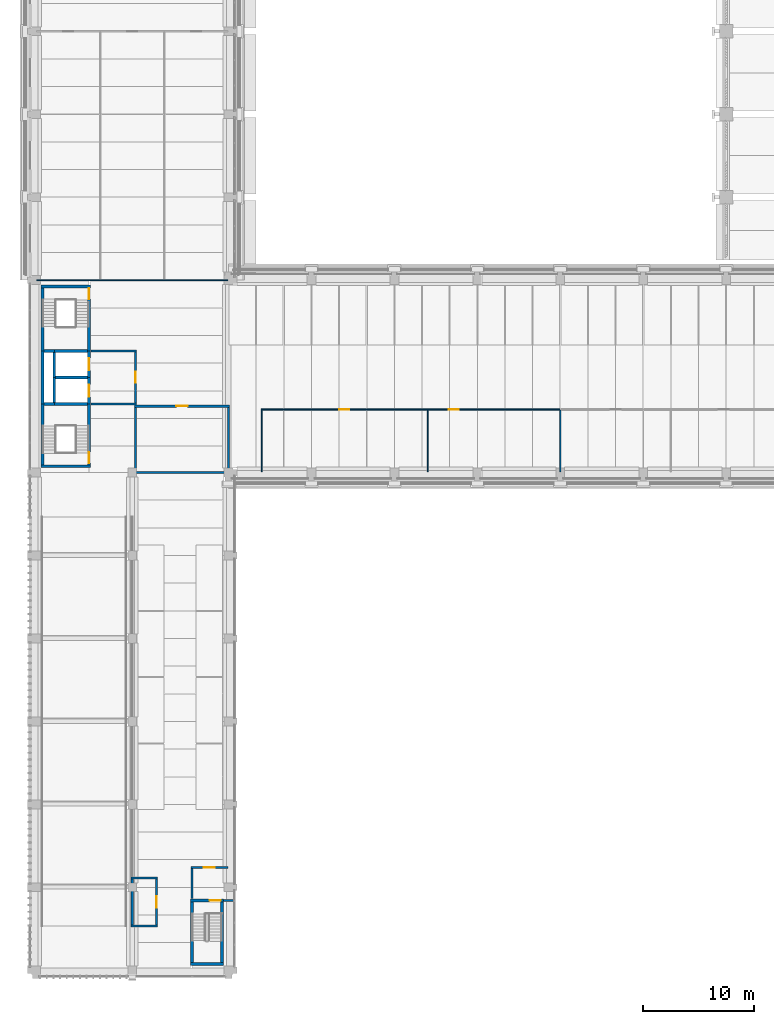
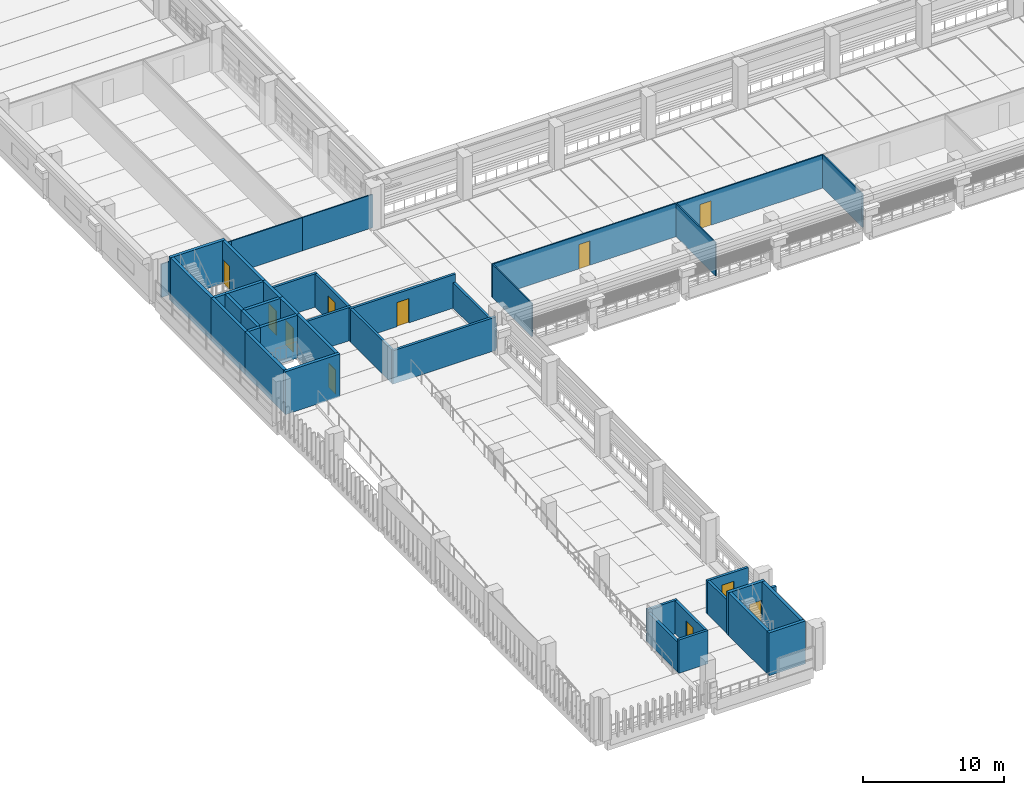
# One storey, part 30 of 71: 42 walls, 11 doors, 11 openings.
"""IFC4 building model written with IfcOpenShell, lengths in metres."""

import ifcopenshell
import ifcopenshell.guid

model = None  # the IFC model being written
_history = None  # IfcOwnerHistory: only IFC2X3 demands one
_inside = {}  # id of a spatial element -> (the spatial element, [elements in it])
_under = {}  # id of a project, library or spatial element -> (it, [spatial elements below it])
_declared = {}  # id of a project -> (the project, [libraries it declares])
_typed = {}  # id of a type object -> (the type object, [elements of that type])
_made_of = {}  # id of a material, layer set ... -> (it, [elements and type objects made of it])


def new_model(schema):
    """Start an empty IFC model of exactly this schema.

    Asked for "IFC4X3", IfcOpenShell would pick the latest addendum, in which some entities
    have other attributes; the version numbers below select the first issue.
    IFC2X3 requires an IfcOwnerHistory on every rooted entity: one is made here for all.
    """
    global model, _history
    if schema == "IFC4X3":
        model = ifcopenshell.file(schema_version=(4, 3, 0, 0))
    else:
        model = ifcopenshell.file(schema=schema)
    _inside.clear()
    _under.clear()
    _declared.clear()
    _typed.clear()
    _made_of.clear()
    _history = None
    if model.schema == "IFC2X3":
        org = make("IfcOrganization", Name="unknown")
        user = make(
            "IfcPersonAndOrganization",
            ThePerson=make("IfcPerson", FamilyName="unknown"),
            TheOrganization=org,
        )
        app = make(
            "IfcApplication",
            ApplicationDeveloper=org,
            Version="unknown",
            ApplicationFullName="unknown",
            ApplicationIdentifier="unknown",
        )
        _history = make(
            "IfcOwnerHistory",
            OwningUser=user,
            OwningApplication=app,
            ChangeAction="ADDED",
            CreationDate=0,
        )
    return model


def make(cls, **values):
    """One entity of the class cls with the attributes given. An attribute that is None is left unset."""
    return model.create_entity(
        cls, **{name: value for name, value in values.items() if value is not None}
    )


def rooted(cls, **values):
    """An entity with a GlobalId (a new one), such as an element, a storey or a relation."""
    return make(cls, GlobalId=ifcopenshell.guid.new(), OwnerHistory=_history, **values)


def si_unit(unit_type, name, prefix=None):
    """IfcSIUnit, for example si_unit("LENGTHUNIT", "METRE", prefix="MILLI")."""
    return make("IfcSIUnit", UnitType=unit_type, Prefix=prefix, Name=name)


def assignment(units):
    """IfcUnitAssignment: the units of a project."""
    return None if units is None else make("IfcUnitAssignment", Units=units)


def point(xyz):
    """IfcCartesianPoint."""
    return None if xyz is None else make("IfcCartesianPoint", Coordinates=xyz)


def direction(xyz):
    """IfcDirection."""
    return None if xyz is None else make("IfcDirection", DirectionRatios=xyz)


def frame(location, z_axis=None, x_axis=None):
    """IfcAxis2Placement3D, a coordinate frame: its origin and axes. An axis left out is left unset."""
    return make(
        "IfcAxis2Placement3D",
        Location=point(location),
        Axis=direction(z_axis),
        RefDirection=direction(x_axis),
    )


def frame_2d(location, x_axis=None):
    """IfcAxis2Placement2D, a coordinate frame in the plane: its origin and x axis."""
    return make(
        "IfcAxis2Placement2D", Location=point(location), RefDirection=direction(x_axis)
    )


def origin():
    """The frame at (0, 0, 0) with its axes left unset."""
    return frame((0.0, 0.0, 0.0))


def place(relative_to, where):
    """IfcLocalPlacement: puts the frame where relative to a parent placement (None: the world)."""
    return make(
        "IfcLocalPlacement", PlacementRelTo=relative_to, RelativePlacement=where
    )


def context(
    kind, dimensions, precision=None, world=None, true_north=None, identifier=None
):
    """IfcGeometricRepresentationContext, for example the 3D "Model" context."""
    return make(
        "IfcGeometricRepresentationContext",
        ContextIdentifier=identifier,
        ContextType=kind,
        CoordinateSpaceDimension=dimensions,
        Precision=precision,
        WorldCoordinateSystem=world,
        TrueNorth=true_north,
    )


def subcontext(parent, identifier, kind, view, scale=None):
    """IfcGeometricRepresentationSubContext, for example "Body" below "Model"."""
    return make(
        "IfcGeometricRepresentationSubContext",
        ContextIdentifier=identifier,
        ContextType=kind,
        ParentContext=parent,
        TargetScale=scale,
        TargetView=view,
    )


def project(units=None, contexts=None):
    """IfcProject with its units and contexts."""
    return rooted(
        "IfcProject",
        Name="project",
        RepresentationContexts=contexts,
        UnitsInContext=assignment(units),
    )


def spatial(cls, under=None, at=None, **own):
    """A site, building, storey or space (cls), placed at a placement, below another one or the project."""
    s = rooted(cls, ObjectPlacement=at, **own)
    if under is not None:
        _under.setdefault(under.id(), (under, []))[1].append(s)
    return s


def profile(cls, at=None, kind="AREA", **sizes):
    """A parametric profile (cls). Its sizes go by their IFC names, for example OverallWidth=200.0."""
    return make(cls, ProfileType=kind, Position=at, **sizes)


def rectangle(**sizes):
    """IfcRectangleProfileDef."""
    return profile("IfcRectangleProfileDef", **sizes)


def extrude(swept, where, along, depth):
    """IfcExtrudedAreaSolid: the profile swept, set in the frame where, extruded along a direction by depth."""
    return make(
        "IfcExtrudedAreaSolid",
        SweptArea=swept,
        Position=where,
        ExtrudedDirection=direction(along),
        Depth=depth,
    )


def shape(context_of_items, identifier, shape_type, items):
    """IfcShapeRepresentation: the items that make up one representation, for example the "Body"."""
    return make(
        "IfcShapeRepresentation",
        ContextOfItems=context_of_items,
        RepresentationIdentifier=identifier,
        RepresentationType=shape_type,
        Items=items,
    )


def material(Name=None, Category=None):
    """IfcMaterial."""
    return make("IfcMaterial", Name=Name, Category=Category)


def layer(
    of_material, thickness, ventilated=None, Name=None, Category=None, Priority=None
):
    """IfcMaterialLayer: one layer of a wall or slab, of a material (None: an air gap)."""
    return make(
        "IfcMaterialLayer",
        Material=of_material,
        LayerThickness=thickness,
        IsVentilated=ventilated,
        Name=Name,
        Category=Category,
        Priority=Priority,
    )


def layer_set(layers, Name=None):
    """IfcMaterialLayerSet."""
    return make("IfcMaterialLayerSet", MaterialLayers=layers, LayerSetName=Name)


def made_of(thing, what):
    """Note that an element or type object is made of a material, layer set ...; save() writes the relation."""
    if what is not None:
        _made_of.setdefault(what.id(), (what, []))[1].append(thing)
    return thing


def type_object(cls, material=None, **own):
    """A type object (cls), such as IfcWallType, which elements share."""
    return made_of(rooted(cls, **own), material)


def element(
    cls,
    number,
    at=None,
    inside=None,
    cuts=None,
    type_object=None,
    material=None,
    context=None,
    identifier="Body",
    shape_type=None,
    held_by="IfcProductDefinitionShape",
    body=None,
    shapes=None,
    **own,
):
    """One element of the class cls, such as IfcWall. Its Tag is "e" and its number.

    at: its placement. inside: the storey or other place that contains it. cuts: it is an
    opening in that element (IfcRelVoidsElement). A single representation is given by context,
    identifier, shape_type and body (its items); several are given by shapes. held_by: the class
    of the entity that holds the representations. save() writes the other relations.
    """
    e = rooted(cls, Tag="e%d" % number, ObjectPlacement=at, **own)
    if body is not None:
        shapes = [shape(context, identifier, shape_type, body)]
    if shapes is not None:
        e.Representation = make(held_by, Representations=shapes)
    if inside is not None:
        _inside.setdefault(inside.id(), (inside, []))[1].append(e)
    if cuts is not None:
        rooted(
            "IfcRelVoidsElement", RelatingBuildingElement=cuts, RelatedOpeningElement=e
        )
    if type_object is not None:
        _typed.setdefault(type_object.id(), (type_object, []))[1].append(e)
    return made_of(e, material)


def fill(opening, filler):
    """IfcRelFillsElement: the door or window that sits in an opening."""
    return rooted(
        "IfcRelFillsElement",
        RelatingOpeningElement=opening,
        RelatedBuildingElement=filler,
    )


def aggregate(whole, parts):
    """IfcRelAggregates: a whole, such as a stair, and the parts it consists of."""
    return rooted("IfcRelAggregates", RelatingObject=whole, RelatedObjects=parts)


def save(model, path):
    """Write the relations noted so far, then the file.

    IfcRelAggregates (storeys below a building ...), IfcRelContainedInSpatialStructure (elements
    in a storey), IfcRelDefinesByType, IfcRelAssociatesMaterial and IfcRelDeclares: one each for
    every whole, place, type object, material and project.
    """
    for whole, parts in _under.values():
        aggregate(whole, parts)
    for where, things in _inside.values():
        rooted(
            "IfcRelContainedInSpatialStructure",
            RelatedElements=things,
            RelatingStructure=where,
        )
    for kind, things in _typed.values():
        rooted("IfcRelDefinesByType", RelatedObjects=things, RelatingType=kind)
    for what, things in _made_of.values():
        rooted("IfcRelAssociatesMaterial", RelatedObjects=things, RelatingMaterial=what)
    for by, libraries in _declared.values():
        rooted("IfcRelDeclares", RelatingContext=by, RelatedDefinitions=libraries)
    model.write(path)


model = new_model("IFC4")

# Units and contexts
model_context = context("Model", 3, precision=1e-05, world=origin(), true_north=direction((0.0, 1.0)))
body_context = subcontext(model_context, "Body", "Model", "MODEL_VIEW")
ifc_project = project(units=[si_unit("LENGTHUNIT", "METRE"), si_unit("AREAUNIT", "SQUARE_METRE"), si_unit("VOLUMEUNIT", "CUBIC_METRE"), si_unit("PLANEANGLEUNIT", "RADIAN"), si_unit("MASSUNIT", "GRAM", prefix="KILO")], contexts=[model_context])

# Site, building, storey
site_placement = place(None, origin())
site = spatial("IfcSite", under=ifc_project, at=site_placement, CompositionType="ELEMENT")
building_placement = place(site_placement, origin())
building = spatial("IfcBuilding", under=site, at=building_placement, Name="Cour d'Honneur Mobility Palace", CompositionType="ELEMENT")
storey_placement = place(building_placement, frame((0.0, 0.0, 15.60009765625)))
storey = spatial("IfcBuildingStorey", under=building, at=storey_placement, Name="L04", CompositionType="ELEMENT", Elevation=15.60009765625)

# Walls
ifc_material_1 = material(Name="Concrete C50", Category="concrete")
ifc_layer_1 = layer(ifc_material_1, 0.25)
ifc_layer_set_1 = layer_set([ifc_layer_1], Name="Concrete C50")
wall_type_1 = type_object("IfcWallType", Name="Lift shaft wall 250", PredefinedType="SHEAR", material=ifc_layer_set_1)
wall_1_placement = place(storey_placement, frame((1.77490234375, 53.60009765625, 0.0), z_axis=(0.0, 0.0, 1.0), x_axis=(1.0, 0.0, 0.0)))
element("IfcWall", 1, at=wall_1_placement, inside=storey, type_object=wall_type_1, Name="Lift shaft wall WL-CW4 L04", PredefinedType="SHEAR", context=body_context, shape_type="SweptSolid", body=[
    extrude(rectangle(XDim=2.900146484375, YDim=0.25, at=frame_2d((1.4501953125, 0.0))), origin(), (0.0, 0.0, 1.0), 3.699951171875),
])
wall_2_placement = place(storey_placement, frame((1.64990234375, 51.324951171875, 0.0), z_axis=(0.0, 0.0, 1.0), x_axis=(0.0, 1.0, 0.0)))
element("IfcWall", 2, at=wall_2_placement, inside=storey, type_object=wall_type_1, Name="Lift shaft wall WL-CW11 L04", PredefinedType="SHEAR", context=body_context, shape_type="SweptSolid", body=[
    extrude(rectangle(XDim=2.275146484375, YDim=0.25, at=frame_2d((1.1376953125, 0.0))), origin(), (0.0, 0.0, 1.0), 3.699951171875),
])
wall_3_placement = place(storey_placement, frame((1.64990234375, 53.60009765625, 0.0), z_axis=(0.0, 0.0, 1.0), x_axis=(0.0, 1.0, 0.0)))
element("IfcWall", 3, at=wall_3_placement, inside=storey, type_object=wall_type_1, Name="Lift shaft wall WL-CW12 L04", PredefinedType="SHEAR", context=body_context, shape_type="SweptSolid", body=[
    extrude(rectangle(XDim=2.27490234375, YDim=0.25, at=frame_2d((1.137451171875, 0.0))), origin(), (0.0, 0.0, 1.0), 3.699951171875),
])

# Wall, opening, door
wall_4_placement = place(storey_placement, frame((4.800048828125, 51.199951171875, 0.0), z_axis=(0.0, 0.0, 1.0), x_axis=(0.0, 1.0, 0.0)))
wall_4 = element("IfcWall", 4, at=wall_4_placement, inside=storey, type_object=wall_type_1, Name="Lift shaft wall WL-CW14 L04", PredefinedType="SHEAR", context=body_context, shape_type="SweptSolid", body=[
    extrude(rectangle(XDim=2.400146484375, YDim=0.25, at=frame_2d((1.2001953125, 0.0))), origin(), (0.0, 0.0, 1.0), 3.699951171875),
])
opening_1_placement = place(wall_4_placement, frame((0.64990234375, 0.0, 0.0)))
opening_1 = element("IfcOpeningElement", 5, at=opening_1_placement, cuts=wall_4, Name="Opening LD5", PredefinedType="OPENING", context=body_context, shape_type="SweptSolid", body=[
    extrude(rectangle(XDim=1.10009765625, YDim=2.10009765625, at=frame_2d((0.550048828125, 1.050048828125))), frame((0.0, 0.135009765625, 0.0), z_axis=(0.0, -1.0, 0.0), x_axis=(1.0, 0.0, 0.0)), (0.0, 0.0, 1.0), 0.27001953125),
])
ifc_material_2 = material(Name="Stainless steel", Category="steel")
door_type_1 = type_object("IfcDoorType", Name="Landing door 1100 x 2100", OperationType="SLIDING_TO_LEFT", PredefinedType="DOOR", material=ifc_material_2)
door_1_placement = place(opening_1_placement, origin())
door_1 = element("IfcDoor", 6, at=door_1_placement, inside=storey, type_object=door_type_1, Name="Landing door LF-CW1 L04", OperationType="SLIDING_TO_LEFT", OverallHeight=2.10009765625, OverallWidth=1.10009765625, PredefinedType="DOOR", context=body_context, shape_type="SweptSolid", body=[
    extrude(rectangle(XDim=1.10009765625, YDim=2.10009765625, at=frame_2d((0.550048828125, 1.050048828125))), frame((0.0, 0.02490234375, 0.0), z_axis=(0.0, -1.0, 0.0), x_axis=(1.0, 0.0, 0.0)), (0.0, 0.0, 1.0), 0.050048828125),
])
fill(opening_1, door_1)

wall_5_placement = place(storey_placement, frame((4.800048828125, 53.60009765625, 0.0), z_axis=(0.0, 0.0, 1.0), x_axis=(0.0, 1.0, 0.0)))
wall_5 = element("IfcWall", 7, at=wall_5_placement, inside=storey, type_object=wall_type_1, Name="Lift shaft wall WL-CW15 L04", PredefinedType="SHEAR", context=body_context, shape_type="SweptSolid", body=[
    extrude(rectangle(XDim=2.39990234375, YDim=0.25, at=frame_2d((1.199951171875, 0.0))), origin(), (0.0, 0.0, 1.0), 3.699951171875),
])
opening_2_placement = place(wall_5_placement, frame((0.64990234375, 0.0, 0.0)))
opening_2 = element("IfcOpeningElement", 8, at=opening_2_placement, cuts=wall_5, Name="Opening LD15", PredefinedType="OPENING", context=body_context, shape_type="SweptSolid", body=[
    extrude(rectangle(XDim=1.10009765625, YDim=2.10009765625, at=frame_2d((0.550048828125, 1.050048828125))), frame((0.0, 0.135009765625, 0.0), z_axis=(0.0, -1.0, 0.0), x_axis=(1.0, 0.0, 0.0)), (0.0, 0.0, 1.0), 0.27001953125),
])
door_2_placement = place(opening_2_placement, origin())
door_2 = element("IfcDoor", 9, at=door_2_placement, inside=storey, type_object=door_type_1, Name="Landing door LF-CW2 L04", OperationType="SLIDING_TO_LEFT", OverallHeight=2.10009765625, OverallWidth=1.10009765625, PredefinedType="DOOR", context=body_context, shape_type="SweptSolid", body=[
    extrude(rectangle(XDim=1.10009765625, YDim=2.10009765625, at=frame_2d((0.550048828125, 1.050048828125))), frame((0.0, 0.02490234375, 0.0), z_axis=(0.0, -1.0, 0.0), x_axis=(1.0, 0.0, 0.0)), (0.0, 0.0, 1.0), 0.050048828125),
])
fill(opening_2, door_2)

# Walls
ifc_material_3 = material(Name="Gypsum plasterboard")
ifc_layer_2 = layer(ifc_material_3, 0.10009765625)
ifc_layer_set_2 = layer_set([ifc_layer_2], Name="Gypsum plasterboard")
wall_type_2 = type_object("IfcWallType", Name="Partition 100", PredefinedType="PARTITIONING", material=ifc_layer_set_2)
for number, where, z_axis, x_axis, name in (
    (10, (35.39990234375, 45.06005859375, 0.0), (0.0, 0.0, 1.0), (0.0, 1.0, 0.0), "Partition 019"),
    (11, (47.39990234375, 45.06005859375, 0.0), (0.0, 0.0, 1.0), (0.0, 1.0, 0.0), "Partition 020"),
    (12, (20.39990234375, 50.64990234375, 0.0), (0.0, 0.0, 1.0), (0.0, -1.0, 0.0), "Partition 029"),
):
    element("IfcWall", number, at=place(storey_placement, frame(where, z_axis=z_axis, x_axis=x_axis)), inside=storey, type_object=wall_type_2, Name=name, PredefinedType="PARTITIONING", context=body_context, shape_type="SweptSolid", body=[
        extrude(rectangle(XDim=5.58984375, YDim=0.10009765625, at=frame_2d((2.794921875, 0.0))), origin(), (0.0, 0.0, 1.0), 2.8798828125),
    ])

# Wall, opening, door
wall_6_placement = place(storey_placement, frame((35.39990234375, 50.699951171875, 0.0), z_axis=(0.0, 0.0, 1.0), x_axis=(-1.0, 0.0, 0.0)))
wall_6 = element("IfcWall", 13, at=wall_6_placement, inside=storey, type_object=wall_type_2, Name="Partition 030", PredefinedType="PARTITIONING", context=body_context, shape_type="SweptSolid", body=[
    extrude(rectangle(XDim=15.0498046875, YDim=0.10009765625, at=frame_2d((7.52490234375, 0.0))), origin(), (0.0, 0.0, 1.0), 2.8798828125),
])
opening_3_placement = place(wall_6_placement, frame((7.074951171875, 0.0, 0.0)))
opening_3 = element("IfcOpeningElement", 14, at=opening_3_placement, cuts=wall_6, Name="Opening D0413", PredefinedType="OPENING", context=body_context, shape_type="SweptSolid", body=[
    extrude(rectangle(XDim=0.89990234375, YDim=2.10009765625, at=frame_2d((0.449951171875, 1.050048828125))), frame((0.0, 0.06005859375, 0.0), z_axis=(0.0, -1.0, 0.0), x_axis=(1.0, 0.0, 0.0)), (0.0, 0.0, 1.0), 0.1201171875),
])
ifc_material_4 = material(Name="Solid timber", Category="wood")
door_type_2 = type_object("IfcDoorType", Name="Single door 900 x 2100", OperationType="SINGLE_SWING_LEFT", PredefinedType="DOOR", material=ifc_material_4)
door_3_placement = place(opening_3_placement, origin())
door_3 = element("IfcDoor", 15, at=door_3_placement, inside=storey, type_object=door_type_2, Name="Door Charging Customer Lounge", OperationType="SINGLE_SWING_LEFT", OverallHeight=2.10009765625, OverallWidth=0.89990234375, PredefinedType="DOOR", context=body_context, shape_type="SweptSolid", body=[
    extrude(rectangle(XDim=0.89990234375, YDim=2.10009765625, at=frame_2d((0.449951171875, 1.050048828125))), frame((0.0, 0.02490234375, 0.0), z_axis=(0.0, -1.0, 0.0), x_axis=(1.0, 0.0, 0.0)), (0.0, 0.0, 1.0), 0.050048828125),
])
fill(opening_3, door_3)

wall_7_placement = place(storey_placement, frame((47.39990234375, 50.699951171875, 0.0), z_axis=(0.0, 0.0, 1.0), x_axis=(-1.0, 0.0, 0.0)))
wall_7 = element("IfcWall", 16, at=wall_7_placement, inside=storey, type_object=wall_type_2, Name="Partition 031", PredefinedType="PARTITIONING", context=body_context, shape_type="SweptSolid", body=[
    extrude(rectangle(XDim=12.0, YDim=0.10009765625, at=frame_2d((6.0, 0.0))), origin(), (0.0, 0.0, 1.0), 2.8798828125),
])
opening_4_placement = place(wall_7_placement, frame((9.1650390625, 0.0, 0.0)))
opening_4 = element("IfcOpeningElement", 17, at=opening_4_placement, cuts=wall_7, Name="Opening D0414", PredefinedType="OPENING", context=body_context, shape_type="SweptSolid", body=[
    extrude(rectangle(XDim=0.89990234375, YDim=2.10009765625, at=frame_2d((0.449951171875, 1.050048828125))), frame((0.0, 0.06005859375, 0.0), z_axis=(0.0, -1.0, 0.0), x_axis=(1.0, 0.0, 0.0)), (0.0, 0.0, 1.0), 0.1201171875),
])
door_4_placement = place(opening_4_placement, origin())
door_4 = element("IfcDoor", 18, at=door_4_placement, inside=storey, type_object=door_type_2, Name="Door Driver Rest Lounge", OperationType="SINGLE_SWING_RIGHT", OverallHeight=2.10009765625, OverallWidth=0.89990234375, PredefinedType="DOOR", context=body_context, shape_type="SweptSolid", body=[
    extrude(rectangle(XDim=0.89990234375, YDim=2.10009765625, at=frame_2d((0.449951171875, 1.050048828125))), frame((0.0, 0.02490234375, 0.0), z_axis=(0.0, -1.0, 0.0), x_axis=(1.0, 0.0, 0.0)), (0.0, 0.0, 1.0), 0.050048828125),
])
fill(opening_4, door_4)

# Walls
wall_8_placement = place(storey_placement, frame((0.06005859375, 62.39990234375, 0.0), z_axis=(0.0, 0.0, 1.0), x_axis=(1.0, 0.0, 0.0)))
element("IfcWall", 19, at=wall_8_placement, inside=storey, type_object=wall_type_2, Name="Partition 058", PredefinedType="PARTITIONING", context=body_context, shape_type="SweptSolid", body=[
    extrude(rectangle(XDim=5.739990234375, YDim=0.10009765625, at=frame_2d((2.8701171875, 0.0))), origin(), (0.0, 0.0, 1.0), 2.8798828125),
])
wall_9_placement = place(storey_placement, frame((5.800048828125, 62.39990234375, 0.0), z_axis=(0.0, 0.0, 1.0), x_axis=(1.0, 0.0, 0.0)))
element("IfcWall", 20, at=wall_9_placement, inside=storey, type_object=wall_type_2, Name="Partition 059", PredefinedType="PARTITIONING", context=body_context, shape_type="SweptSolid", body=[
    extrude(rectangle(XDim=5.800048828125, YDim=0.10009765625, at=frame_2d((2.89990234375, 0.0))), origin(), (0.0, 0.0, 1.0), 2.8798828125),
])
wall_10_placement = place(storey_placement, frame((11.60009765625, 62.39990234375, 0.0), z_axis=(0.0, 0.0, 1.0), x_axis=(1.0, 0.0, 0.0)))
element("IfcWall", 21, at=wall_10_placement, inside=storey, type_object=wall_type_2, Name="Partition 061", PredefinedType="PARTITIONING", context=body_context, shape_type="SweptSolid", body=[
    extrude(rectangle(XDim=5.739990234375, YDim=0.10009765625, at=frame_2d((2.8701171875, 0.0))), origin(), (0.0, 0.0, 1.0), 2.8798828125),
])
ifc_material_5 = material(Name="Gypsum plasterboard")
ifc_layer_3 = layer(ifc_material_5, 0.199951171875)
ifc_layer_set_3 = layer_set([ifc_layer_3], Name="Gypsum plasterboard")
wall_type_3 = type_object("IfcWallType", Name="Partition 200 rated EI 120", PredefinedType="PARTITIONING", material=ifc_layer_set_3)
wall_11_placement = place(storey_placement, frame((8.60009765625, 4.0, 0.0), z_axis=(0.0, 0.0, 1.0), x_axis=(1.0, 0.0, 0.0)))
element("IfcWall", 22, at=wall_11_placement, inside=storey, type_object=wall_type_3, Name="Partition 001", PredefinedType="PARTITIONING", context=body_context, shape_type="SweptSolid", body=[
    extrude(rectangle(XDim=2.39990234375, YDim=0.199951171875, at=frame_2d((1.199951171875, 0.0))), origin(), (0.0, 0.0, 1.0), 2.8798828125),
])

# Wall, opening, door
wall_12_placement = place(storey_placement, frame((10.89990234375, 4.10009765625, 0.0), z_axis=(0.0, 0.0, 1.0), x_axis=(0.0, 1.0, 0.0)))
wall_12 = element("IfcWall", 23, at=wall_12_placement, inside=storey, type_object=wall_type_3, Name="Partition 002", PredefinedType="PARTITIONING", context=body_context, shape_type="SweptSolid", body=[
    extrude(rectangle(XDim=4.14990234375, YDim=0.199951171875, at=frame_2d((2.074951171875, 0.0))), origin(), (0.0, 0.0, 1.0), 2.8798828125),
])
opening_5_placement = place(wall_12_placement, frame((1.574951171875, 0.0, 0.0)))
opening_5 = element("IfcOpeningElement", 24, at=opening_5_placement, cuts=wall_12, Name="Opening D0409", PredefinedType="OPENING", context=body_context, shape_type="SweptSolid", body=[
    extrude(rectangle(XDim=1.0, YDim=2.10009765625, at=frame_2d((0.5, 1.050048828125))), frame((0.0, 0.10986328125, 0.0), z_axis=(0.0, -1.0, 0.0), x_axis=(1.0, 0.0, 0.0)), (0.0, 0.0, 1.0), 0.219970703125),
])
ifc_material_6 = material(Name="Galvanised steel", Category="steel")
door_type_3 = type_object("IfcDoorType", Name="Fire door FD120 1000 x 2100", OperationType="SINGLE_SWING_LEFT", PredefinedType="DOOR", material=ifc_material_6)
door_5_placement = place(opening_5_placement, origin())
door_5 = element("IfcDoor", 25, at=door_5_placement, inside=storey, type_object=door_type_3, Name="Door EV Switch Room West", OperationType="SINGLE_SWING_RIGHT", OverallHeight=2.10009765625, OverallWidth=1.0, PredefinedType="DOOR", context=body_context, shape_type="SweptSolid", body=[
    extrude(rectangle(XDim=1.0, YDim=2.10009765625, at=frame_2d((0.5, 1.050048828125))), frame((0.0, 0.02490234375, 0.0), z_axis=(0.0, -1.0, 0.0), x_axis=(1.0, 0.0, 0.0)), (0.0, 0.0, 1.0), 0.050048828125),
])
fill(opening_5, door_5)

# Walls
wall_13_placement = place(storey_placement, frame((16.949951171875, 6.300048828125, 0.0), z_axis=(0.0, 0.0, 1.0), x_axis=(1.0, 0.0, 0.0)))
element("IfcWall", 26, at=wall_13_placement, inside=storey, type_object=wall_type_3, Name="Partition 005", PredefinedType="PARTITIONING", context=body_context, shape_type="SweptSolid", body=[
    extrude(rectangle(XDim=0.949951171875, YDim=0.199951171875, at=frame_2d((0.47509765625, 0.0))), origin(), (0.0, 0.0, 1.0), 2.8798828125),
])
wall_14_placement = place(storey_placement, frame((11.0, 8.35009765625, 0.0), z_axis=(0.0, 0.0, 1.0), x_axis=(-1.0, 0.0, 0.0)))
element("IfcWall", 27, at=wall_14_placement, inside=storey, type_object=wall_type_3, Name="Partition 009", PredefinedType="PARTITIONING", context=body_context, shape_type="SweptSolid", body=[
    extrude(rectangle(XDim=2.39990234375, YDim=0.199951171875, at=frame_2d((1.199951171875, 0.0))), origin(), (0.0, 0.0, 1.0), 2.8798828125),
])
wall_15_placement = place(storey_placement, frame((14.10009765625, 9.199951171875, 0.0), z_axis=(0.0, 0.0, 1.0), x_axis=(0.0, -1.0, 0.0)))
element("IfcWall", 28, at=wall_15_placement, inside=storey, type_object=wall_type_3, Name="Partition 012", PredefinedType="PARTITIONING", context=body_context, shape_type="SweptSolid", body=[
    extrude(rectangle(XDim=2.724853515625, YDim=0.199951171875, at=frame_2d((1.3623046875, 0.0))), origin(), (0.0, 0.0, 1.0), 2.8798828125),
])

# Wall, opening, door
wall_16_placement = place(storey_placement, frame((17.340087890625, 9.300048828125, 0.0), z_axis=(0.0, 0.0, 1.0), x_axis=(-1.0, 0.0, 0.0)))
wall_16 = element("IfcWall", 29, at=wall_16_placement, inside=storey, type_object=wall_type_3, Name="Partition 013", PredefinedType="PARTITIONING", context=body_context, shape_type="SweptSolid", body=[
    extrude(rectangle(XDim=3.340087890625, YDim=0.199951171875, at=frame_2d((1.669921875, 0.0))), origin(), (0.0, 0.0, 1.0), 2.8798828125),
])
opening_6_placement = place(wall_16_placement, frame((1.169921875, 0.0, 0.0)))
opening_6 = element("IfcOpeningElement", 30, at=opening_6_placement, cuts=wall_16, Name="Opening D0407", PredefinedType="OPENING", context=body_context, shape_type="SweptSolid", body=[
    extrude(rectangle(XDim=1.0, YDim=2.10009765625, at=frame_2d((0.5, 1.050048828125))), frame((0.0, 0.10986328125, 0.0), z_axis=(0.0, -1.0, 0.0), x_axis=(1.0, 0.0, 0.0)), (0.0, 0.0, 1.0), 0.219970703125),
])
door_6_placement = place(opening_6_placement, origin())
door_6 = element("IfcDoor", 31, at=door_6_placement, inside=storey, type_object=door_type_3, Name="Door Stair Lobby RW", OperationType="SINGLE_SWING_LEFT", OverallHeight=2.10009765625, OverallWidth=1.0, PredefinedType="DOOR", context=body_context, shape_type="SweptSolid", body=[
    extrude(rectangle(XDim=1.0, YDim=2.10009765625, at=frame_2d((0.5, 1.050048828125))), frame((0.0, 0.02490234375, 0.0), z_axis=(0.0, -1.0, 0.0), x_axis=(1.0, 0.0, 0.0)), (0.0, 0.0, 1.0), 0.050048828125),
])
fill(opening_6, door_6)

# Walls
wall_17_placement = place(storey_placement, frame((8.89990234375, 45.0, 0.0), z_axis=(0.0, 0.0, 1.0), x_axis=(1.0, 0.0, 0.0)))
element("IfcWall", 32, at=wall_17_placement, inside=storey, type_object=wall_type_3, Name="Partition 015", PredefinedType="PARTITIONING", context=body_context, shape_type="SweptSolid", body=[
    extrude(rectangle(XDim=8.440185546875, YDim=0.199951171875, at=frame_2d((4.22021484375, 0.0))), origin(), (0.0, 0.0, 1.0), 2.8798828125),
])
wall_18_placement = place(storey_placement, frame((9.0, 50.89990234375, 0.0), z_axis=(0.0, 0.0, 1.0), x_axis=(0.0, -1.0, 0.0)))
element("IfcWall", 33, at=wall_18_placement, inside=storey, type_object=wall_type_3, Name="Partition 042", PredefinedType="PARTITIONING", context=body_context, shape_type="SweptSolid", body=[
    extrude(rectangle(XDim=5.7998046875, YDim=0.199951171875, at=frame_2d((2.89990234375, 0.0))), origin(), (0.0, 0.0, 1.0), 2.8798828125),
])

# Wall, opening, door
wall_19_placement = place(storey_placement, frame((17.5, 51.0, 0.0), z_axis=(0.0, 0.0, 1.0), x_axis=(-1.0, 0.0, 0.0)))
wall_19 = element("IfcWall", 34, at=wall_19_placement, inside=storey, type_object=wall_type_3, Name="Partition 043", PredefinedType="PARTITIONING", context=body_context, shape_type="SweptSolid", body=[
    extrude(rectangle(XDim=8.60009765625, YDim=0.199951171875, at=frame_2d((4.300048828125, 0.0))), origin(), (0.0, 0.0, 1.0), 2.8798828125),
])
opening_7_placement = place(wall_19_placement, frame((3.800048828125, 0.0, 0.0)))
opening_7 = element("IfcOpeningElement", 35, at=opening_7_placement, cuts=wall_19, Name="Opening D0411", PredefinedType="OPENING", context=body_context, shape_type="SweptSolid", body=[
    extrude(rectangle(XDim=1.0, YDim=2.10009765625, at=frame_2d((0.5, 1.050048828125))), frame((0.0, 0.10986328125, 0.0), z_axis=(0.0, -1.0, 0.0), x_axis=(1.0, 0.0, 0.0)), (0.0, 0.0, 1.0), 0.219970703125),
])
door_7_placement = place(opening_7_placement, origin())
door_7 = element("IfcDoor", 36, at=door_7_placement, inside=storey, type_object=door_type_3, Name="Door EV Switch Room West", OperationType="SINGLE_SWING_RIGHT", OverallHeight=2.10009765625, OverallWidth=1.0, PredefinedType="DOOR", context=body_context, shape_type="SweptSolid", body=[
    extrude(rectangle(XDim=1.0, YDim=2.10009765625, at=frame_2d((0.5, 1.050048828125))), frame((0.0, 0.02490234375, 0.0), z_axis=(0.0, -1.0, 0.0), x_axis=(1.0, 0.0, 0.0)), (0.0, 0.0, 1.0), 0.050048828125),
])
fill(opening_7, door_7)

# Wall
wall_20_placement = place(storey_placement, frame((4.97509765625, 51.199951171875, 0.0), z_axis=(0.0, 0.0, 1.0), x_axis=(1.0, 0.0, 0.0)))
element("IfcWall", 37, at=wall_20_placement, inside=storey, type_object=wall_type_3, Name="Partition 046", PredefinedType="PARTITIONING", context=body_context, shape_type="SweptSolid", body=[
    extrude(rectangle(XDim=4.125, YDim=0.199951171875, at=frame_2d((2.0625, 0.0))), origin(), (0.0, 0.0, 1.0), 2.8798828125),
])

# Wall, opening, door
wall_21_placement = place(storey_placement, frame((9.0, 51.300048828125, 0.0), z_axis=(0.0, 0.0, 1.0), x_axis=(0.0, 1.0, 0.0)))
wall_21 = element("IfcWall", 38, at=wall_21_placement, inside=storey, type_object=wall_type_3, Name="Partition 047", PredefinedType="PARTITIONING", context=body_context, shape_type="SweptSolid", body=[
    extrude(rectangle(XDim=4.599853515625, YDim=0.199951171875, at=frame_2d((2.2998046875, 0.0))), origin(), (0.0, 0.0, 1.0), 2.8798828125),
])
opening_8_placement = place(wall_21_placement, frame((1.800048828125, 0.0, 0.0)))
opening_8 = element("IfcOpeningElement", 39, at=opening_8_placement, cuts=wall_21, Name="Opening D0401", PredefinedType="OPENING", context=body_context, shape_type="SweptSolid", body=[
    extrude(rectangle(XDim=1.0, YDim=2.10009765625, at=frame_2d((0.5, 1.050048828125))), frame((0.0, 0.10986328125, 0.0), z_axis=(0.0, -1.0, 0.0), x_axis=(1.0, 0.0, 0.0)), (0.0, 0.0, 1.0), 0.219970703125),
])
door_8_placement = place(opening_8_placement, origin())
door_8 = element("IfcDoor", 40, at=door_8_placement, inside=storey, type_object=door_type_3, Name="Door Firefighting Lobby CW", OperationType="SINGLE_SWING_RIGHT", OverallHeight=2.10009765625, OverallWidth=1.0, PredefinedType="DOOR", context=body_context, shape_type="SweptSolid", body=[
    extrude(rectangle(XDim=1.0, YDim=2.10009765625, at=frame_2d((0.5, 1.050048828125))), frame((0.0, 0.02490234375, 0.0), z_axis=(0.0, -1.0, 0.0), x_axis=(1.0, 0.0, 0.0)), (0.0, 0.0, 1.0), 0.050048828125),
])
fill(opening_8, door_8)

# Walls
wall_22_placement = place(storey_placement, frame((9.10009765625, 56.0, 0.0), z_axis=(0.0, 0.0, 1.0), x_axis=(-1.0, 0.0, 0.0)))
element("IfcWall", 41, at=wall_22_placement, inside=storey, type_object=wall_type_3, Name="Partition 055", PredefinedType="PARTITIONING", context=body_context, shape_type="SweptSolid", body=[
    extrude(rectangle(XDim=4.125, YDim=0.199951171875, at=frame_2d((2.0625, 0.0))), origin(), (0.0, 0.0, 1.0), 2.8798828125),
])
ifc_material_7 = material(Name="Gypsum plasterboard")
ifc_layer_4 = layer(ifc_material_7, 0.199951171875)
ifc_layer_set_4 = layer_set([ifc_layer_4], Name="Gypsum plasterboard")
wall_type_4 = type_object("IfcWallType", Name="Partition 200 rated EI 120 under beam 1100", PredefinedType="PARTITIONING", material=ifc_layer_set_4)
wall_23_placement = place(storey_placement, frame((8.699951171875, 8.25, 0.0), z_axis=(0.0, 0.0, 1.0), x_axis=(0.0, -1.0, 0.0)))
element("IfcWall", 42, at=wall_23_placement, inside=storey, type_object=wall_type_4, Name="Partition 008", PredefinedType="PARTITIONING", context=body_context, shape_type="SweptSolid", body=[
    extrude(rectangle(XDim=4.14990234375, YDim=0.199951171875, at=frame_2d((2.074951171875, 0.0))), origin(), (0.0, 0.0, 1.0), 2.599853515625),
])
ifc_material_8 = material(Name="Gypsum plasterboard")
ifc_layer_5 = layer(ifc_material_8, 0.199951171875)
ifc_layer_set_5 = layer_set([ifc_layer_5], Name="Gypsum plasterboard")
wall_type_5 = type_object("IfcWallType", Name="Partition 200 rated EI 120 under beam 1500", PredefinedType="PARTITIONING", material=ifc_layer_set_5)
wall_24_placement = place(storey_placement, frame((17.39990234375, 45.06005859375, 0.0), z_axis=(0.0, 0.0, 1.0), x_axis=(0.0, 1.0, 0.0)))
element("IfcWall", 43, at=wall_24_placement, inside=storey, type_object=wall_type_5, Name="Partition 018", PredefinedType="PARTITIONING", context=body_context, shape_type="SweptSolid", body=[
    extrude(rectangle(XDim=5.83984375, YDim=0.199951171875, at=frame_2d((2.919921875, 0.0))), origin(), (0.0, 0.0, 1.0), 2.199951171875),
])
ifc_material_9 = material(Name="Concrete C50", Category="concrete")
ifc_layer_6 = layer(ifc_material_9, 0.25)
ifc_layer_set_6 = layer_set([ifc_layer_6], Name="Concrete C50")
wall_type_6 = type_object("IfcWallType", Name="Shaft wall 250", PredefinedType="SHEAR", material=ifc_layer_set_6)
wall_25_placement = place(storey_placement, frame((0.574951171875, 51.199951171875, 0.0), z_axis=(0.0, 0.0, 1.0), x_axis=(0.0, 1.0, 0.0)))
element("IfcWall", 44, at=wall_25_placement, inside=storey, type_object=wall_type_6, Name="Shaft wall WR-CW9 L04", PredefinedType="SHEAR", context=body_context, shape_type="SweptSolid", body=[
    extrude(rectangle(XDim=4.800048828125, YDim=0.25, at=frame_2d((2.39990234375, 0.0))), origin(), (0.0, 0.0, 1.0), 3.699951171875),
])
ifc_material_10 = material(Name="Concrete C50", Category="concrete")
ifc_layer_7 = layer(ifc_material_10, 0.25)
ifc_layer_set_7 = layer_set([ifc_layer_7], Name="Concrete C50")
wall_type_7 = type_object("IfcWallType", Name="Stair wall 250", PredefinedType="SHEAR", material=ifc_layer_set_7)
wall_26_placement = place(storey_placement, frame((0.449951171875, 45.574951171875, 0.0), z_axis=(0.0, 0.0, 1.0), x_axis=(1.0, 0.0, 0.0)))
element("IfcWall", 45, at=wall_26_placement, inside=storey, type_object=wall_type_7, Name="Stair wall WS-CW1 L04", PredefinedType="SHEAR", context=body_context, shape_type="SweptSolid", body=[
    extrude(rectangle(XDim=4.47509765625, YDim=0.25, at=frame_2d((2.237548828125, 0.0))), origin(), (0.0, 0.0, 1.0), 3.699951171875),
])
wall_27_placement = place(storey_placement, frame((0.699951171875, 51.199951171875, 0.0), z_axis=(0.0, 0.0, 1.0), x_axis=(1.0, 0.0, 0.0)))
element("IfcWall", 46, at=wall_27_placement, inside=storey, type_object=wall_type_7, Name="Stair wall WS-CW2 L04", PredefinedType="SHEAR", context=body_context, shape_type="SweptSolid", body=[
    extrude(rectangle(XDim=0.949951171875, YDim=0.25, at=frame_2d((0.47509765625, 0.0))), origin(), (0.0, 0.0, 1.0), 3.699951171875),
])
wall_28_placement = place(storey_placement, frame((1.64990234375, 51.199951171875, 0.0), z_axis=(0.0, 0.0, 1.0), x_axis=(1.0, 0.0, 0.0)))
element("IfcWall", 47, at=wall_28_placement, inside=storey, type_object=wall_type_7, Name="Stair wall WS-CW3 L04", PredefinedType="SHEAR", context=body_context, shape_type="SweptSolid", body=[
    extrude(rectangle(XDim=3.025146484375, YDim=0.25, at=frame_2d((1.5126953125, 0.0))), origin(), (0.0, 0.0, 1.0), 3.699951171875),
])
wall_29_placement = place(storey_placement, frame((0.699951171875, 56.0, 0.0), z_axis=(0.0, 0.0, 1.0), x_axis=(1.0, 0.0, 0.0)))
element("IfcWall", 48, at=wall_29_placement, inside=storey, type_object=wall_type_7, Name="Stair wall WS-CW5 L04", PredefinedType="SHEAR", context=body_context, shape_type="SweptSolid", body=[
    extrude(rectangle(XDim=0.949951171875, YDim=0.25, at=frame_2d((0.47509765625, 0.0))), origin(), (0.0, 0.0, 1.0), 3.699951171875),
])
wall_30_placement = place(storey_placement, frame((1.64990234375, 56.0, 0.0), z_axis=(0.0, 0.0, 1.0), x_axis=(1.0, 0.0, 0.0)))
element("IfcWall", 49, at=wall_30_placement, inside=storey, type_object=wall_type_7, Name="Stair wall WS-CW6 L04", PredefinedType="SHEAR", context=body_context, shape_type="SweptSolid", body=[
    extrude(rectangle(XDim=3.025146484375, YDim=0.25, at=frame_2d((1.5126953125, 0.0))), origin(), (0.0, 0.0, 1.0), 3.699951171875),
])
wall_31_placement = place(storey_placement, frame((0.449951171875, 61.824951171875, 0.0), z_axis=(0.0, 0.0, 1.0), x_axis=(1.0, 0.0, 0.0)))
element("IfcWall", 50, at=wall_31_placement, inside=storey, type_object=wall_type_7, Name="Stair wall WS-CW7 L04", PredefinedType="SHEAR", context=body_context, shape_type="SweptSolid", body=[
    extrude(rectangle(XDim=4.47509765625, YDim=0.25, at=frame_2d((2.237548828125, 0.0))), origin(), (0.0, 0.0, 1.0), 3.699951171875),
])
wall_32_placement = place(storey_placement, frame((0.574951171875, 45.699951171875, 0.0), z_axis=(0.0, 0.0, 1.0), x_axis=(0.0, 1.0, 0.0)))
element("IfcWall", 51, at=wall_32_placement, inside=storey, type_object=wall_type_7, Name="Stair wall WS-CW8 L04", PredefinedType="SHEAR", context=body_context, shape_type="SweptSolid", body=[
    extrude(rectangle(XDim=5.5, YDim=0.25, at=frame_2d((2.75, 0.0))), origin(), (0.0, 0.0, 1.0), 3.699951171875),
])
wall_33_placement = place(storey_placement, frame((0.574951171875, 56.0, 0.0), z_axis=(0.0, 0.0, 1.0), x_axis=(0.0, 1.0, 0.0)))
element("IfcWall", 52, at=wall_33_placement, inside=storey, type_object=wall_type_7, Name="Stair wall WS-CW10 L04", PredefinedType="SHEAR", context=body_context, shape_type="SweptSolid", body=[
    extrude(rectangle(XDim=5.699951171875, YDim=0.25, at=frame_2d((2.85009765625, 0.0))), origin(), (0.0, 0.0, 1.0), 3.699951171875),
])

# Wall, opening, door
wall_34_placement = place(storey_placement, frame((4.800048828125, 45.699951171875, 0.0), z_axis=(0.0, 0.0, 1.0), x_axis=(0.0, 1.0, 0.0)))
wall_34 = element("IfcWall", 53, at=wall_34_placement, inside=storey, type_object=wall_type_7, Name="Stair wall WS-CW13 L04", PredefinedType="SHEAR", context=body_context, shape_type="SweptSolid", body=[
    extrude(rectangle(XDim=5.5, YDim=0.25, at=frame_2d((2.75, 0.0))), origin(), (0.0, 0.0, 1.0), 3.699951171875),
])
opening_9_placement = place(wall_34_placement, frame((0.14990234375, 0.0, 0.0)))
opening_9 = element("IfcOpeningElement", 54, at=opening_9_placement, cuts=wall_34, Name="Opening S133", PredefinedType="OPENING", context=body_context, shape_type="SweptSolid", body=[
    extrude(rectangle(XDim=1.0, YDim=2.10009765625, at=frame_2d((0.5, 1.050048828125))), frame((0.0, 0.135009765625, 0.0), z_axis=(0.0, -1.0, 0.0), x_axis=(1.0, 0.0, 0.0)), (0.0, 0.0, 1.0), 0.27001953125),
])
ifc_material_11 = material(Name="Galvanised steel", Category="steel")
door_type_4 = type_object("IfcDoorType", Name="Fire door FD120 stair 1000 x 2100", OperationType="SINGLE_SWING_LEFT", PredefinedType="DOOR", material=ifc_material_11)
door_9_placement = place(opening_9_placement, origin())
door_9 = element("IfcDoor", 55, at=door_9_placement, inside=storey, type_object=door_type_4, Name="Stair door ST-CW1 L04", OperationType="SINGLE_SWING_RIGHT", OverallHeight=2.10009765625, OverallWidth=1.0, PredefinedType="DOOR", context=body_context, shape_type="SweptSolid", body=[
    extrude(rectangle(XDim=1.0, YDim=2.10009765625, at=frame_2d((0.5, 1.050048828125))), frame((0.0, 0.02490234375, 0.0), z_axis=(0.0, -1.0, 0.0), x_axis=(1.0, 0.0, 0.0)), (0.0, 0.0, 1.0), 0.050048828125),
])
fill(opening_9, door_9)

wall_35_placement = place(storey_placement, frame((4.800048828125, 56.0, 0.0), z_axis=(0.0, 0.0, 1.0), x_axis=(0.0, 1.0, 0.0)))
wall_35 = element("IfcWall", 56, at=wall_35_placement, inside=storey, type_object=wall_type_7, Name="Stair wall WS-CW16 L04", PredefinedType="SHEAR", context=body_context, shape_type="SweptSolid", body=[
    extrude(rectangle(XDim=5.699951171875, YDim=0.25, at=frame_2d((2.85009765625, 0.0))), origin(), (0.0, 0.0, 1.0), 3.699951171875),
])
opening_10_placement = place(wall_35_placement, frame((4.675048828125, 0.0, 0.0)))
opening_10 = element("IfcOpeningElement", 57, at=opening_10_placement, cuts=wall_35, Name="Opening S69", PredefinedType="OPENING", context=body_context, shape_type="SweptSolid", body=[
    extrude(rectangle(XDim=1.0, YDim=2.10009765625, at=frame_2d((0.5, 1.050048828125))), frame((0.0, 0.135009765625, 0.0), z_axis=(0.0, -1.0, 0.0), x_axis=(1.0, 0.0, 0.0)), (0.0, 0.0, 1.0), 0.27001953125),
])
door_10_placement = place(opening_10_placement, origin())
door_10 = element("IfcDoor", 58, at=door_10_placement, inside=storey, type_object=door_type_4, Name="Stair door ST-CW2 L04", OperationType="SINGLE_SWING_LEFT", OverallHeight=2.10009765625, OverallWidth=1.0, PredefinedType="DOOR", context=body_context, shape_type="SweptSolid", body=[
    extrude(rectangle(XDim=1.0, YDim=2.10009765625, at=frame_2d((0.5, 1.050048828125))), frame((0.0, 0.02490234375, 0.0), z_axis=(0.0, -1.0, 0.0), x_axis=(1.0, 0.0, 0.0)), (0.0, 0.0, 1.0), 0.050048828125),
])
fill(opening_10, door_10)

# Wall
wall_36_placement = place(storey_placement, frame((13.97509765625, 0.574951171875, 0.0), z_axis=(0.0, 0.0, 1.0), x_axis=(1.0, 0.0, 0.0)))
element("IfcWall", 59, at=wall_36_placement, inside=storey, type_object=wall_type_7, Name="Stair wall WS-RW1 L04", PredefinedType="SHEAR", context=body_context, shape_type="SweptSolid", body=[
    extrude(rectangle(XDim=2.974853515625, YDim=0.25, at=frame_2d((1.4873046875, 0.0))), origin(), (0.0, 0.0, 1.0), 3.699951171875),
])

# Wall, opening, door
wall_37_placement = place(storey_placement, frame((13.97509765625, 6.300048828125, 0.0), z_axis=(0.0, 0.0, 1.0), x_axis=(1.0, 0.0, 0.0)))
wall_37 = element("IfcWall", 60, at=wall_37_placement, inside=storey, type_object=wall_type_7, Name="Stair wall WS-RW2 L04", PredefinedType="SHEAR", context=body_context, shape_type="SweptSolid", body=[
    extrude(rectangle(XDim=2.974853515625, YDim=0.25, at=frame_2d((1.4873046875, 0.0))), origin(), (0.0, 0.0, 1.0), 3.699951171875),
])
opening_11_placement = place(wall_37_placement, frame((1.72509765625, 0.0, 0.0)))
opening_11 = element("IfcOpeningElement", 61, at=opening_11_placement, cuts=wall_37, Name="Opening S113", PredefinedType="OPENING", context=body_context, shape_type="SweptSolid", body=[
    extrude(rectangle(XDim=1.0, YDim=2.10009765625, at=frame_2d((0.5, 1.050048828125))), frame((0.0, 0.135009765625, 0.0), z_axis=(0.0, -1.0, 0.0), x_axis=(1.0, 0.0, 0.0)), (0.0, 0.0, 1.0), 0.27001953125),
])
door_11_placement = place(opening_11_placement, origin())
door_11 = element("IfcDoor", 62, at=door_11_placement, inside=storey, type_object=door_type_4, Name="Stair door ST-RW1 L04", OperationType="SINGLE_SWING_RIGHT", OverallHeight=2.10009765625, OverallWidth=1.0, PredefinedType="DOOR", context=body_context, shape_type="SweptSolid", body=[
    extrude(rectangle(XDim=1.0, YDim=2.10009765625, at=frame_2d((0.5, 1.050048828125))), frame((0.0, 0.02490234375, 0.0), z_axis=(0.0, -1.0, 0.0), x_axis=(1.0, 0.0, 0.0)), (0.0, 0.0, 1.0), 0.050048828125),
])
fill(opening_11, door_11)

# Walls
for number, where, z_axis, x_axis, name in (
    (63, (14.10009765625, 0.699951171875, 0.0), (0.0, 0.0, 1.0), (0.0, 1.0, 0.0), "Stair wall WS-RW3 L04"),
    (64, (16.824951171875, 0.699951171875, 0.0), (0.0, 0.0, 1.0), (0.0, 1.0, 0.0), "Stair wall WS-RW4 L04"),
):
    element("IfcWall", number, at=place(storey_placement, frame(where, z_axis=z_axis, x_axis=x_axis)), inside=storey, type_object=wall_type_7, Name=name, PredefinedType="SHEAR", context=body_context, shape_type="SweptSolid", body=[
        extrude(rectangle(XDim=5.47509765625, YDim=0.25, at=frame_2d((2.737548828125, 0.0))), origin(), (0.0, 0.0, 1.0), 3.699951171875),
    ])

save(model, "model.ifc")
